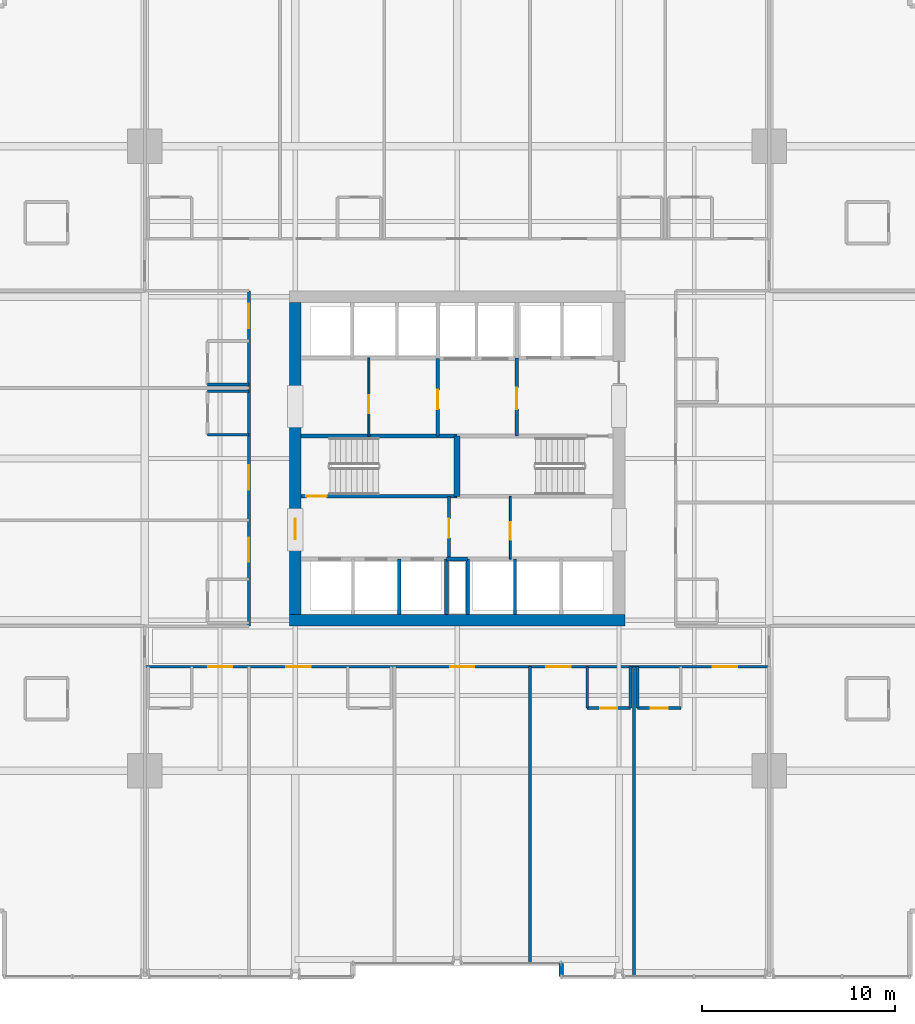
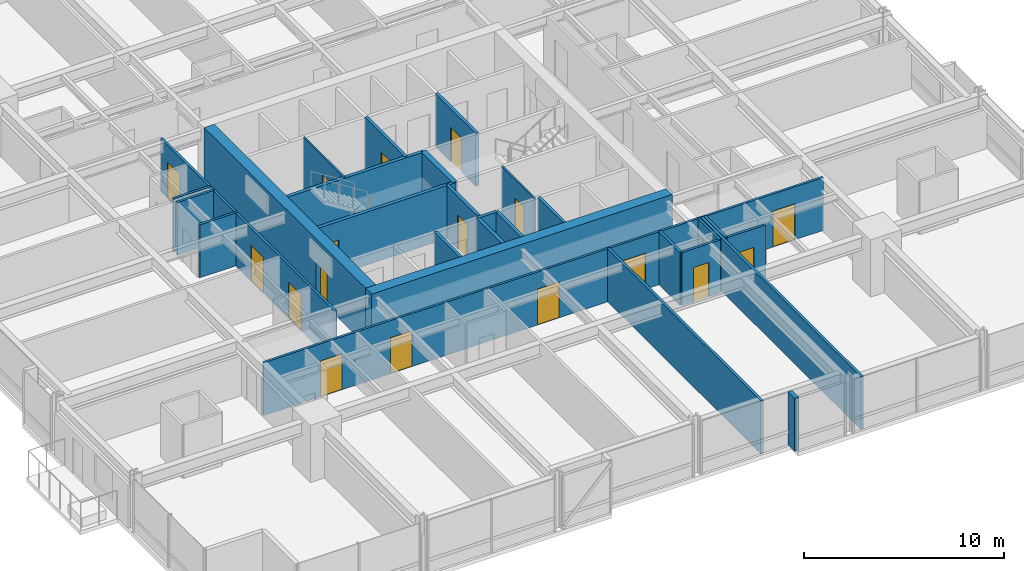
# One storey, part 31 of 38: 28 walls, 17 doors, 17 openings.
"""IFC4 building model written with IfcOpenShell, lengths in metres."""

from ifc_helpers import new_model, si_unit, direction, frame, frame_2d, origin, place, context, subcontext, project, spatial, rectangle, extrude, material, layer, layer_set, type_object, element, fill, save


model = new_model("IFC4")

# Units and contexts
model_context = context("Model", 3, precision=1e-05, world=origin(), true_north=direction((0.0, 1.0)))
body_context = subcontext(model_context, "Body", "Model", "MODEL_VIEW")
ifc_project = project(units=[si_unit("LENGTHUNIT", "METRE"), si_unit("AREAUNIT", "SQUARE_METRE"), si_unit("VOLUMEUNIT", "CUBIC_METRE"), si_unit("PLANEANGLEUNIT", "RADIAN"), si_unit("MASSUNIT", "GRAM", prefix="KILO")], contexts=[model_context])

# Site, building, storey
site_placement = place(None, origin())
site = spatial("IfcSite", under=ifc_project, at=site_placement, CompositionType="ELEMENT")
building_placement = place(site_placement, origin())
building = spatial("IfcBuilding", under=site, at=building_placement, Name="Drelvath Grand Hotel", CompositionType="ELEMENT")
storey_placement = place(building_placement, frame((0.0, 0.0, 61.199951171875)))
storey = spatial("IfcBuildingStorey", under=building, at=storey_placement, Name="L14", CompositionType="ELEMENT", Elevation=61.199951171875)

# Wall, opening, door
ifc_material_1 = material(Name="Gypsum Partition Board")
ifc_layer_1 = layer(ifc_material_1, 0.10009765625)
ifc_layer_set_1 = layer_set([ifc_layer_1], Name="Gypsum Partition Board")
wall_type_1 = type_object("IfcWallType", Name="Core Closet Partition 100", PredefinedType="PARTITIONING", material=ifc_layer_set_1)
wall_1_placement = place(storey_placement, frame((-4.580078125, 28.159912109375, 0.0), z_axis=(0.0, 0.0, 1.0), x_axis=(0.0, 1.0, 0.0)))
wall_1 = element("IfcWall", 1, at=wall_1_placement, inside=storey, type_object=wall_type_1, Name="L14 Core Closet Divider", PredefinedType="PARTITIONING", context=body_context, shape_type="SweptSolid", body=[
    extrude(rectangle(XDim=4.06005859375, YDim=0.10009765625, at=frame_2d((2.030029296875, 0.0))), origin(), (0.0, 0.0, 1.0), 3.239990234375),
])
opening_1_placement = place(wall_1_placement, frame((1.199951171875, 0.0, 0.0)))
opening_1 = element("IfcOpeningElement", 2, at=opening_1_placement, cuts=wall_1, Name="Opening D-T1G3-010", PredefinedType="OPENING", context=body_context, shape_type="SweptSolid", body=[
    extrude(rectangle(XDim=0.919921875, YDim=2.10009765625, at=frame_2d((0.4599609375, 1.050048828125))), frame((0.0, 0.06005859375, 0.0), z_axis=(0.0, -1.0, 0.0), x_axis=(1.0, 0.0, 0.0)), (0.0, 0.0, 1.0), 0.1201171875),
])
ifc_material_2 = material(Name="Painted Steel S275", Category="steel")
door_type_1 = type_object("IfcDoorType", Name="Staff Utility Door 920x2100", OperationType="NOTDEFINED", PredefinedType="DOOR", material=ifc_material_2)
door_1_placement = place(opening_1_placement, origin())
door_1 = element("IfcDoor", 3, at=door_1_placement, inside=storey, type_object=door_type_1, Name="L14 Electrical Closet Door", OperationType="SINGLE_SWING_RIGHT", OverallHeight=2.10009765625, OverallWidth=0.919921875, PredefinedType="DOOR", context=body_context, shape_type="SweptSolid", body=[
    extrude(rectangle(XDim=0.919921875, YDim=2.10009765625, at=frame_2d((0.4599609375, 1.050048828125))), frame((0.0, 0.02490234375, 0.0), z_axis=(0.0, -1.0, 0.0), x_axis=(1.0, 0.0, 0.0)), (0.0, 0.0, 1.0), 0.050048828125),
])
fill(opening_1, door_1)

wall_2_placement = place(storey_placement, frame((2.760009765625, 21.780029296875, 0.0), z_axis=(0.0, 0.0, 1.0), x_axis=(0.0, 1.0, 0.0)))
wall_2 = element("IfcWall", 4, at=wall_2_placement, inside=storey, type_object=wall_type_1, Name="L14 Butler Pantry Wall", PredefinedType="PARTITIONING", context=body_context, shape_type="SweptSolid", body=[
    extrude(rectangle(XDim=3.260009765625, YDim=0.10009765625, at=frame_2d((1.6298828125, 0.0))), origin(), (0.0, 0.0, 1.0), 3.239990234375),
])
opening_2_placement = place(wall_2_placement, frame((1.0, 0.0, 0.0)))
opening_2 = element("IfcOpeningElement", 5, at=opening_2_placement, cuts=wall_2, Name="Opening D-T1G3-016", PredefinedType="OPENING", context=body_context, shape_type="SweptSolid", body=[
    extrude(rectangle(XDim=0.919921875, YDim=2.10009765625, at=frame_2d((0.4599609375, 1.050048828125))), frame((0.0, 0.06005859375, 0.0), z_axis=(0.0, -1.0, 0.0), x_axis=(1.0, 0.0, 0.0)), (0.0, 0.0, 1.0), 0.1201171875),
])
door_2_placement = place(opening_2_placement, origin())
door_2 = element("IfcDoor", 6, at=door_2_placement, inside=storey, type_object=door_type_1, Name="L14 Butler Pantry Door", OperationType="SINGLE_SWING_LEFT", OverallHeight=2.10009765625, OverallWidth=0.919921875, PredefinedType="DOOR", context=body_context, shape_type="SweptSolid", body=[
    extrude(rectangle(XDim=0.919921875, YDim=2.10009765625, at=frame_2d((0.4599609375, 1.050048828125))), frame((0.0, 0.02490234375, 0.0), z_axis=(0.0, -1.0, 0.0), x_axis=(1.0, 0.0, 0.0)), (0.0, 0.0, 1.0), 0.050048828125),
])
fill(opening_2, door_2)

# Walls
ifc_material_3 = material(Name="Concrete C40/50", Category="concrete")
ifc_layer_2 = layer(ifc_material_3, 0.199951171875)
ifc_layer_set_2 = layer_set([ifc_layer_2], Name="Concrete C40/50")
wall_type_2 = type_object("IfcWallType", Name="Core Hoistway Fire Wall 200", PredefinedType="SOLIDWALL", material=ifc_layer_set_2)
for number, where, z_axis, x_axis, name in (
    (7, (-0.550048828125, 18.89990234375, 0.0), (0.0, 0.0, 1.0), (0.0, 1.0, 0.0), "L14 Bank 1 East Wall"),
    (8, (0.550048828125, 18.89990234375, 0.0), (0.0, 0.0, 1.0), (0.0, 1.0, 0.0), "L14 Bank 2 West Wall"),
):
    element("IfcWall", number, at=place(storey_placement, frame(where, z_axis=z_axis, x_axis=x_axis)), inside=storey, type_object=wall_type_2, Name=name, PredefinedType="SOLIDWALL", context=body_context, shape_type="SweptSolid", body=[
        extrude(rectangle(XDim=2.880126953125, YDim=0.199951171875, at=frame_2d((1.43994140625, 0.0))), origin(), (0.0, 0.0, 1.0), 3.239990234375),
    ])
wall_3_placement = place(storey_placement, frame((-0.550048828125, 21.780029296875, 0.0), z_axis=(0.0, 0.0, 1.0), x_axis=(1.0, 0.0, 0.0)))
element("IfcWall", 9, at=wall_3_placement, inside=storey, type_object=wall_type_2, Name="L14 Core Riser Wall", PredefinedType="SOLIDWALL", context=body_context, shape_type="SweptSolid", body=[
    extrude(rectangle(XDim=1.10009765625, YDim=0.199951171875, at=frame_2d((0.550048828125, 0.0))), origin(), (0.0, 0.0, 1.0), 3.239990234375),
])

# Wall, opening, door
ifc_layer_3 = layer(ifc_material_3, 0.199951171875)
ifc_layer_set_3 = layer_set([ifc_layer_3], Name="Concrete C40/50")
wall_type_3 = type_object("IfcWallType", Name="Core Shaft Fire Wall 200", PredefinedType="SOLIDWALL", material=ifc_layer_set_3)
wall_4_placement = place(storey_placement, frame((-8.10009765625, 25.0400390625, 0.0), z_axis=(0.0, 0.0, 1.0), x_axis=(1.0, 0.0, 0.0)))
wall_4 = element("IfcWall", 10, at=wall_4_placement, inside=storey, type_object=wall_type_3, Name="L14 Stair ST-1 South Wall", PredefinedType="SOLIDWALL", context=body_context, shape_type="SweptSolid", body=[
    extrude(rectangle(XDim=8.10009765625, YDim=0.199951171875, at=frame_2d((4.050048828125, 0.0))), origin(), (0.0, 0.0, 1.0), 3.239990234375),
])
opening_3_placement = place(wall_4_placement, frame((0.280029296875, 0.0, 0.0)))
opening_3 = element("IfcOpeningElement", 11, at=opening_3_placement, cuts=wall_4, Name="Opening D-T1G3-001", PredefinedType="OPENING", context=body_context, shape_type="SweptSolid", body=[
    extrude(rectangle(XDim=1.050048828125, YDim=2.10009765625, at=frame_2d((0.52490234375, 1.050048828125))), frame((0.0, 0.10986328125, 0.0), z_axis=(0.0, -1.0, 0.0), x_axis=(1.0, 0.0, 0.0)), (0.0, 0.0, 1.0), 0.219970703125),
])
door_type_2 = type_object("IfcDoorType", Name="Tower Stairwell Fire Door 1050x2100", OperationType="NOTDEFINED", PredefinedType="DOOR", material=ifc_material_2)
door_3_placement = place(opening_3_placement, origin())
door_3 = element("IfcDoor", 12, at=door_3_placement, inside=storey, type_object=door_type_2, Name="L14 Exit Stair ST-1 Door", OperationType="SINGLE_SWING_LEFT", OverallHeight=2.10009765625, OverallWidth=1.050048828125, PredefinedType="DOOR", context=body_context, shape_type="SweptSolid", body=[
    extrude(rectangle(XDim=1.050048828125, YDim=2.10009765625, at=frame_2d((0.52490234375, 1.050048828125))), frame((0.0, 0.02490234375, 0.0), z_axis=(0.0, -1.0, 0.0), x_axis=(1.0, 0.0, 0.0)), (0.0, 0.0, 1.0), 0.050048828125),
])
fill(opening_3, door_3)

# Walls
wall_5_placement = place(storey_placement, frame((-8.10009765625, 28.159912109375, 0.0), z_axis=(0.0, 0.0, 1.0), x_axis=(1.0, 0.0, 0.0)))
element("IfcWall", 13, at=wall_5_placement, inside=storey, type_object=wall_type_3, Name="L14 Stair ST-1 North Wall", PredefinedType="SOLIDWALL", context=body_context, shape_type="SweptSolid", body=[
    extrude(rectangle(XDim=8.10009765625, YDim=0.199951171875, at=frame_2d((4.050048828125, 0.0))), origin(), (0.0, 0.0, 1.0), 3.239990234375),
])
ifc_layer_4 = layer(ifc_material_3, 0.300048828125)
ifc_layer_set_4 = layer_set([ifc_layer_4], Name="Concrete C40/50")
wall_type_4 = type_object("IfcWallType", Name="Core Shaft Fire Wall 300", PredefinedType="SOLIDWALL", material=ifc_layer_set_4)
wall_6_placement = place(storey_placement, frame((0.0, 25.0400390625, 0.0), z_axis=(0.0, 0.0, 1.0), x_axis=(0.0, 1.0, 0.0)))
element("IfcWall", 14, at=wall_6_placement, inside=storey, type_object=wall_type_4, Name="L14 Core Stair Divider Wall", PredefinedType="SOLIDWALL", context=body_context, shape_type="SweptSolid", body=[
    extrude(rectangle(XDim=3.119873046875, YDim=0.300048828125, at=frame_2d((1.56005859375, 0.0))), origin(), (0.0, 0.0, 1.0), 3.239990234375),
])
ifc_material_4 = material(Name="Gypsum Fireboard Partition")
ifc_layer_5 = layer(ifc_material_4, 0.1650390625)
ifc_layer_set_5 = layer_set([ifc_layer_5], Name="Gypsum Fireboard Partition")
wall_type_5 = type_object("IfcWallType", Name="Core Shaft Partition 165", PredefinedType="PARTITIONING", material=ifc_layer_set_5)
for number, where, z_axis, x_axis, name in (
    (15, (-3.0, 18.89990234375, 0.0), (0.0, 0.0, 1.0), (0.0, 1.0, 0.0), "L14 Lift PE-2/3 Divider"),
    (16, (3.0, 18.89990234375, 0.0), (0.0, 0.0, 1.0), (0.0, 1.0, 0.0), "L14 Lift PE-4/5 Divider"),
):
    element("IfcWall", number, at=place(storey_placement, frame(where, z_axis=z_axis, x_axis=x_axis)), inside=storey, type_object=wall_type_5, Name=name, PredefinedType="PARTITIONING", context=body_context, shape_type="SweptSolid", body=[
        extrude(rectangle(XDim=2.880126953125, YDim=0.1650390625, at=frame_2d((1.43994140625, 0.0))), origin(), (0.0, 0.0, 1.0), 3.239990234375),
    ])

# Wall, openings, doors
ifc_layer_6 = layer(ifc_material_4, 0.135009765625)
ifc_layer_set_6 = layer_set([ifc_layer_6], Name="Gypsum Fireboard Partition")
wall_type_6 = type_object("IfcWallType", Name="Corridor Fire Barrier Wall 135", PredefinedType="PARTITIONING", material=ifc_layer_set_6)
wall_7_placement = place(storey_placement, frame((-16.199951171875, 16.199951171875, 0.0), z_axis=(0.0, 0.0, 1.0), x_axis=(1.0, 0.0, 0.0)))
wall_7 = element("IfcWall", 17, at=wall_7_placement, inside=storey, type_object=wall_type_6, Name="L14 South Corridor Wall", PredefinedType="PARTITIONING", context=body_context, shape_type="SweptSolid", body=[
    extrude(rectangle(XDim=32.39990234375, YDim=0.135009765625, at=frame_2d((16.199951171875, 0.0))), origin(), (0.0, 0.0, 1.0), 3.239990234375),
])
opening_4_placement = place(wall_7_placement, frame((3.284912109375, 0.0, 0.0)))
opening_4 = element("IfcOpeningElement", 18, at=opening_4_placement, cuts=wall_7, Name="Opening D-T1G3-026", PredefinedType="OPENING", context=body_context, shape_type="SweptSolid", body=[
    extrude(rectangle(XDim=1.260009765625, YDim=2.199951171875, at=frame_2d((0.6298828125, 1.10009765625))), frame((0.0, 0.077392578125, 0.0), z_axis=(0.0, -1.0, 0.0), x_axis=(1.0, 0.0, 0.0)), (0.0, 0.0, 1.0), 0.155029296875),
])
opening_5_placement = place(wall_7_placement, frame((7.3349609375, 0.0, 0.0)))
opening_5 = element("IfcOpeningElement", 19, at=opening_5_placement, cuts=wall_7, Name="Opening D-T1G3-028", PredefinedType="OPENING", context=body_context, shape_type="SweptSolid", body=[
    extrude(rectangle(XDim=1.260009765625, YDim=2.199951171875, at=frame_2d((0.6298828125, 1.10009765625))), frame((0.0, 0.077392578125, 0.0), z_axis=(0.0, -1.0, 0.0), x_axis=(1.0, 0.0, 0.0)), (0.0, 0.0, 1.0), 0.155029296875),
])
opening_6_placement = place(wall_7_placement, frame((15.840087890625, 0.0, 0.0)))
opening_6 = element("IfcOpeningElement", 20, at=opening_6_placement, cuts=wall_7, Name="Opening D-T1G3-029", PredefinedType="OPENING", context=body_context, shape_type="SweptSolid", body=[
    extrude(rectangle(XDim=1.260009765625, YDim=2.199951171875, at=frame_2d((0.6298828125, 1.10009765625))), frame((0.0, 0.077392578125, 0.0), z_axis=(0.0, -1.0, 0.0), x_axis=(1.0, 0.0, 0.0)), (0.0, 0.0, 1.0), 0.155029296875),
])
opening_7_placement = place(wall_7_placement, frame((20.8349609375, 0.0, 0.0)))
opening_7 = element("IfcOpeningElement", 21, at=opening_7_placement, cuts=wall_7, Name="Opening D-T1G3-031", PredefinedType="OPENING", context=body_context, shape_type="SweptSolid", body=[
    extrude(rectangle(XDim=1.260009765625, YDim=2.199951171875, at=frame_2d((0.6298828125, 1.10009765625))), frame((0.0, 0.077392578125, 0.0), z_axis=(0.0, -1.0, 0.0), x_axis=(1.0, 0.0, 0.0)), (0.0, 0.0, 1.0), 0.155029296875),
])
opening_8_placement = place(wall_7_placement, frame((29.47509765625, 0.0, 0.0)))
opening_8 = element("IfcOpeningElement", 22, at=opening_8_placement, cuts=wall_7, Name="Opening D-T1G3-033", PredefinedType="OPENING", context=body_context, shape_type="SweptSolid", body=[
    extrude(rectangle(XDim=1.260009765625, YDim=2.199951171875, at=frame_2d((0.6298828125, 1.10009765625))), frame((0.0, 0.077392578125, 0.0), z_axis=(0.0, -1.0, 0.0), x_axis=(1.0, 0.0, 0.0)), (0.0, 0.0, 1.0), 0.155029296875),
])
ifc_material_5 = material(Name="Hardwood Walnut Timber", Category="wood")
door_type_3 = type_object("IfcDoorType", Name="Suite Entrance Fire Door 1260x2200", OperationType="NOTDEFINED", PredefinedType="DOOR", material=ifc_material_5)
door_4_placement = place(opening_4_placement, origin())
door_4 = element("IfcDoor", 23, at=door_4_placement, inside=storey, type_object=door_type_3, Name="L14 Corner Suite Entry Door", OperationType="SINGLE_SWING_LEFT", OverallHeight=2.199951171875, OverallWidth=1.260009765625, PredefinedType="DOOR", context=body_context, shape_type="SweptSolid", body=[
    extrude(rectangle(XDim=1.260009765625, YDim=2.199951171875, at=frame_2d((0.6298828125, 1.10009765625))), frame((0.0, 0.02490234375, 0.0), z_axis=(0.0, -1.0, 0.0), x_axis=(1.0, 0.0, 0.0)), (0.0, 0.0, 1.0), 0.050048828125),
])
fill(opening_4, door_4)
door_5_placement = place(opening_5_placement, origin())
door_5 = element("IfcDoor", 24, at=door_5_placement, inside=storey, type_object=door_type_3, Name="L14 Corner Suite Entry Door", OperationType="SINGLE_SWING_LEFT", OverallHeight=2.199951171875, OverallWidth=1.260009765625, PredefinedType="DOOR", context=body_context, shape_type="SweptSolid", body=[
    extrude(rectangle(XDim=1.260009765625, YDim=2.199951171875, at=frame_2d((0.6298828125, 1.10009765625))), frame((0.0, 0.02490234375, 0.0), z_axis=(0.0, -1.0, 0.0), x_axis=(1.0, 0.0, 0.0)), (0.0, 0.0, 1.0), 0.050048828125),
])
fill(opening_5, door_5)
door_6_placement = place(opening_6_placement, origin())
door_6 = element("IfcDoor", 25, at=door_6_placement, inside=storey, type_object=door_type_3, Name="L14 Boardroom Suite Entry Door", OperationType="SINGLE_SWING_RIGHT", OverallHeight=2.199951171875, OverallWidth=1.260009765625, PredefinedType="DOOR", context=body_context, shape_type="SweptSolid", body=[
    extrude(rectangle(XDim=1.260009765625, YDim=2.199951171875, at=frame_2d((0.6298828125, 1.10009765625))), frame((0.0, 0.02490234375, 0.0), z_axis=(0.0, -1.0, 0.0), x_axis=(1.0, 0.0, 0.0)), (0.0, 0.0, 1.0), 0.050048828125),
])
fill(opening_6, door_6)
door_7_placement = place(opening_7_placement, origin())
door_7 = element("IfcDoor", 26, at=door_7_placement, inside=storey, type_object=door_type_3, Name="L14 Corner Suite Entry Door", OperationType="SINGLE_SWING_RIGHT", OverallHeight=2.199951171875, OverallWidth=1.260009765625, PredefinedType="DOOR", context=body_context, shape_type="SweptSolid", body=[
    extrude(rectangle(XDim=1.260009765625, YDim=2.199951171875, at=frame_2d((0.6298828125, 1.10009765625))), frame((0.0, 0.02490234375, 0.0), z_axis=(0.0, -1.0, 0.0), x_axis=(1.0, 0.0, 0.0)), (0.0, 0.0, 1.0), 0.050048828125),
])
fill(opening_7, door_7)
door_8_placement = place(opening_8_placement, origin())
door_8 = element("IfcDoor", 27, at=door_8_placement, inside=storey, type_object=door_type_3, Name="L14 Corner Suite Entry Door", OperationType="SINGLE_SWING_RIGHT", OverallHeight=2.199951171875, OverallWidth=1.260009765625, PredefinedType="DOOR", context=body_context, shape_type="SweptSolid", body=[
    extrude(rectangle(XDim=1.260009765625, YDim=2.199951171875, at=frame_2d((0.6298828125, 1.10009765625))), frame((0.0, 0.02490234375, 0.0), z_axis=(0.0, -1.0, 0.0), x_axis=(1.0, 0.0, 0.0)), (0.0, 0.0, 1.0), 0.050048828125),
])
fill(opening_8, door_8)

wall_8_placement = place(storey_placement, frame((-10.800048828125, 18.300048828125, 0.0), z_axis=(0.0, 0.0, 1.0), x_axis=(0.0, 1.0, 0.0)))
wall_8 = element("IfcWall", 28, at=wall_8_placement, inside=storey, type_object=wall_type_6, Name="L14 West Corridor Wall", PredefinedType="PARTITIONING", context=body_context, shape_type="SweptSolid", body=[
    extrude(rectangle(XDim=17.39990234375, YDim=0.135009765625, at=frame_2d((8.699951171875, 0.0))), origin(), (0.0, 0.0, 1.0), 3.239990234375),
])
opening_9_placement = place(wall_8_placement, frame((3.332275390625, 0.0, 0.0)))
opening_9 = element("IfcOpeningElement", 29, at=opening_9_placement, cuts=wall_8, Name="Opening D-T1G3-044", PredefinedType="OPENING", context=body_context, shape_type="SweptSolid", body=[
    extrude(rectangle(XDim=1.260009765625, YDim=2.199951171875, at=frame_2d((0.6298828125, 1.10009765625))), frame((0.0, 0.077392578125, 0.0), z_axis=(0.0, -1.0, 0.0), x_axis=(1.0, 0.0, 0.0)), (0.0, 0.0, 1.0), 0.155029296875),
])
opening_10_placement = place(wall_8_placement, frame((7.083984375, 0.0, 0.0)))
opening_10 = element("IfcOpeningElement", 30, at=opening_10_placement, cuts=wall_8, Name="Opening D-T1G3-046", PredefinedType="OPENING", context=body_context, shape_type="SweptSolid", body=[
    extrude(rectangle(XDim=1.260009765625, YDim=2.199951171875, at=frame_2d((0.6298828125, 1.10009765625))), frame((0.0, 0.077392578125, 0.0), z_axis=(0.0, -1.0, 0.0), x_axis=(1.0, 0.0, 0.0)), (0.0, 0.0, 1.0), 0.155029296875),
])
opening_11_placement = place(wall_8_placement, frame((15.466552734375, 0.0, 0.0)))
opening_11 = element("IfcOpeningElement", 31, at=opening_11_placement, cuts=wall_8, Name="Opening D-T1G3-048", PredefinedType="OPENING", context=body_context, shape_type="SweptSolid", body=[
    extrude(rectangle(XDim=1.260009765625, YDim=2.199951171875, at=frame_2d((0.6298828125, 1.10009765625))), frame((0.0, 0.077392578125, 0.0), z_axis=(0.0, -1.0, 0.0), x_axis=(1.0, 0.0, 0.0)), (0.0, 0.0, 1.0), 0.155029296875),
])
door_9_placement = place(opening_9_placement, origin())
door_9 = element("IfcDoor", 32, at=door_9_placement, inside=storey, type_object=door_type_3, Name="L14 Corner Suite Entry Door", OperationType="SINGLE_SWING_LEFT", OverallHeight=2.199951171875, OverallWidth=1.260009765625, PredefinedType="DOOR", context=body_context, shape_type="SweptSolid", body=[
    extrude(rectangle(XDim=1.260009765625, YDim=2.199951171875, at=frame_2d((0.6298828125, 1.10009765625))), frame((0.0, 0.02490234375, 0.0), z_axis=(0.0, -1.0, 0.0), x_axis=(1.0, 0.0, 0.0)), (0.0, 0.0, 1.0), 0.050048828125),
])
fill(opening_9, door_9)
door_10_placement = place(opening_10_placement, origin())
door_10 = element("IfcDoor", 33, at=door_10_placement, inside=storey, type_object=door_type_3, Name="L14 Corner Suite Entry Door", OperationType="SINGLE_SWING_LEFT", OverallHeight=2.199951171875, OverallWidth=1.260009765625, PredefinedType="DOOR", context=body_context, shape_type="SweptSolid", body=[
    extrude(rectangle(XDim=1.260009765625, YDim=2.199951171875, at=frame_2d((0.6298828125, 1.10009765625))), frame((0.0, 0.02490234375, 0.0), z_axis=(0.0, -1.0, 0.0), x_axis=(1.0, 0.0, 0.0)), (0.0, 0.0, 1.0), 0.050048828125),
])
fill(opening_10, door_10)
door_11_placement = place(opening_11_placement, origin())
door_11 = element("IfcDoor", 34, at=door_11_placement, inside=storey, type_object=door_type_3, Name="L14 Corner Suite Entry Door", OperationType="SINGLE_SWING_LEFT", OverallHeight=2.199951171875, OverallWidth=1.260009765625, PredefinedType="DOOR", context=body_context, shape_type="SweptSolid", body=[
    extrude(rectangle(XDim=1.260009765625, YDim=2.199951171875, at=frame_2d((0.6298828125, 1.10009765625))), frame((0.0, 0.02490234375, 0.0), z_axis=(0.0, -1.0, 0.0), x_axis=(1.0, 0.0, 0.0)), (0.0, 0.0, 1.0), 0.050048828125),
])
fill(opening_11, door_11)

# Walls
ifc_material_6 = material(Name="Moisture-Resistant Gypsum Board")
ifc_layer_7 = layer(ifc_material_6, 0.139892578125)
ifc_layer_set_7 = layer_set([ifc_layer_7], Name="Moisture-Resistant Gypsum Board")
wall_type_7 = type_object("IfcWallType", Name="En-Suite Plumbing Wall 140", PredefinedType="PLUMBINGWALL", material=ifc_layer_set_7)
for number, where, z_axis, x_axis, name in (
    (35, (6.75, 16.199951171875, 0.0), (0.0, 0.0, 1.0), (0.0, -1.0, 0.0), "L14 En-Suite Left Wall"),
    (36, (9.0, 16.199951171875, 0.0), (0.0, 0.0, 1.0), (0.0, -1.0, 0.0), "L14 En-Suite Right Wall"),
):
    element("IfcWall", number, at=place(storey_placement, frame(where, z_axis=z_axis, x_axis=x_axis)), inside=storey, type_object=wall_type_7, Name=name, PredefinedType="PLUMBINGWALL", context=body_context, shape_type="SweptSolid", body=[
        extrude(rectangle(XDim=2.14990234375, YDim=0.139892578125, at=frame_2d((1.074951171875, 0.0))), origin(), (0.0, 0.0, 1.0), 3.239990234375),
    ])

# Wall, opening, door
wall_9_placement = place(storey_placement, frame((6.75, 14.050048828125, 0.0), z_axis=(0.0, 0.0, 1.0), x_axis=(1.0, 0.0, 0.0)))
wall_9 = element("IfcWall", 37, at=wall_9_placement, inside=storey, type_object=wall_type_7, Name="L14 En-Suite Front Wall", PredefinedType="PLUMBINGWALL", context=body_context, shape_type="SweptSolid", body=[
    extrude(rectangle(XDim=2.25, YDim=0.139892578125, at=frame_2d((1.125, 0.0))), origin(), (0.0, 0.0, 1.0), 3.239990234375),
])
opening_12_placement = place(wall_9_placement, frame((0.68505859375, 0.0, 0.0)))
opening_12 = element("IfcOpeningElement", 38, at=opening_12_placement, cuts=wall_9, Name="Opening D-T1G3-030", PredefinedType="OPENING", context=body_context, shape_type="SweptSolid", body=[
    extrude(rectangle(XDim=0.8798828125, YDim=2.10009765625, at=frame_2d((0.43994140625, 1.050048828125))), frame((0.0, 0.079833984375, 0.0), z_axis=(0.0, -1.0, 0.0), x_axis=(1.0, 0.0, 0.0)), (0.0, 0.0, 1.0), 0.159912109375),
])
door_type_4 = type_object("IfcDoorType", Name="En-Suite Bathroom Door 880x2100", OperationType="NOTDEFINED", PredefinedType="DOOR", material=ifc_material_5)
door_12_placement = place(opening_12_placement, origin())
door_12 = element("IfcDoor", 39, at=door_12_placement, inside=storey, type_object=door_type_4, Name="L14 En-Suite Bathroom Door", OperationType="SINGLE_SWING_LEFT", OverallHeight=2.10009765625, OverallWidth=0.8798828125, PredefinedType="DOOR", context=body_context, shape_type="SweptSolid", body=[
    extrude(rectangle(XDim=0.8798828125, YDim=2.10009765625, at=frame_2d((0.43994140625, 1.050048828125))), frame((0.0, 0.02490234375, 0.0), z_axis=(0.0, -1.0, 0.0), x_axis=(1.0, 0.0, 0.0)), (0.0, 0.0, 1.0), 0.050048828125),
])
fill(opening_12, door_12)

# Wall
wall_10_placement = place(storey_placement, frame((9.360107421875, 16.199951171875, 0.0), z_axis=(0.0, 0.0, 1.0), x_axis=(0.0, -1.0, 0.0)))
element("IfcWall", 40, at=wall_10_placement, inside=storey, type_object=wall_type_7, Name="L14 En-Suite Left Wall", PredefinedType="PLUMBINGWALL", context=body_context, shape_type="SweptSolid", body=[
    extrude(rectangle(XDim=2.14990234375, YDim=0.139892578125, at=frame_2d((1.074951171875, 0.0))), origin(), (0.0, 0.0, 1.0), 3.239990234375),
])

# Wall, opening, door
wall_11_placement = place(storey_placement, frame((9.360107421875, 14.050048828125, 0.0), z_axis=(0.0, 0.0, 1.0), x_axis=(1.0, 0.0, 0.0)))
wall_11 = element("IfcWall", 41, at=wall_11_placement, inside=storey, type_object=wall_type_7, Name="L14 En-Suite Front Wall", PredefinedType="PLUMBINGWALL", context=body_context, shape_type="SweptSolid", body=[
    extrude(rectangle(XDim=2.25, YDim=0.139892578125, at=frame_2d((1.125, 0.0))), origin(), (0.0, 0.0, 1.0), 3.239990234375),
])
opening_13_placement = place(wall_11_placement, frame((0.68505859375, 0.0, 0.0)))
opening_13 = element("IfcOpeningElement", 42, at=opening_13_placement, cuts=wall_11, Name="Opening D-T1G3-032", PredefinedType="OPENING", context=body_context, shape_type="SweptSolid", body=[
    extrude(rectangle(XDim=0.8798828125, YDim=2.10009765625, at=frame_2d((0.43994140625, 1.050048828125))), frame((0.0, 0.079833984375, 0.0), z_axis=(0.0, -1.0, 0.0), x_axis=(1.0, 0.0, 0.0)), (0.0, 0.0, 1.0), 0.159912109375),
])
door_13_placement = place(opening_13_placement, origin())
door_13 = element("IfcDoor", 43, at=door_13_placement, inside=storey, type_object=door_type_4, Name="L14 En-Suite Bathroom Door", OperationType="SINGLE_SWING_LEFT", OverallHeight=2.10009765625, OverallWidth=0.8798828125, PredefinedType="DOOR", context=body_context, shape_type="SweptSolid", body=[
    extrude(rectangle(XDim=0.8798828125, YDim=2.10009765625, at=frame_2d((0.43994140625, 1.050048828125))), frame((0.0, 0.02490234375, 0.0), z_axis=(0.0, -1.0, 0.0), x_axis=(1.0, 0.0, 0.0)), (0.0, 0.0, 1.0), 0.050048828125),
])
fill(opening_13, door_13)

# Walls
for number, where, z_axis, x_axis, name in (
    (44, (-10.800048828125, 28.233154296875, 0.0), (0.0, 0.0, 1.0), (-1.0, 0.0, 0.0), "L14 En-Suite Left Wall"),
    (45, (-10.800048828125, 30.483154296875, 0.0), (0.0, 0.0, 1.0), (-1.0, 0.0, 0.0), "L14 En-Suite Right Wall"),
    (46, (-10.800048828125, 30.84326171875, 0.0), (0.0, 0.0, 1.0), (-1.0, 0.0, 0.0), "L14 En-Suite Left Wall"),
):
    element("IfcWall", number, at=place(storey_placement, frame(where, z_axis=z_axis, x_axis=x_axis)), inside=storey, type_object=wall_type_7, Name=name, PredefinedType="PLUMBINGWALL", context=body_context, shape_type="SweptSolid", body=[
        extrude(rectangle(XDim=2.14990234375, YDim=0.139892578125, at=frame_2d((1.074951171875, 0.0))), origin(), (0.0, 0.0, 1.0), 3.239990234375),
    ])

# Wall, opening, door
ifc_layer_8 = layer(ifc_material_4, 0.179931640625)
ifc_layer_set_8 = layer_set([ifc_layer_8], Name="Gypsum Fireboard Partition")
wall_type_8 = type_object("IfcWallType", Name="FSAE Smoke Lobby Fire Wall 180", PredefinedType="SOLIDWALL", material=ifc_layer_set_8)
wall_12_placement = place(storey_placement, frame((3.10009765625, 28.159912109375, 0.0), z_axis=(0.0, 0.0, 1.0), x_axis=(0.0, 1.0, 0.0)))
wall_12 = element("IfcWall", 47, at=wall_12_placement, inside=storey, type_object=wall_type_8, Name="L14 FSAE Smoke Lobby West Wall", PredefinedType="SOLIDWALL", context=body_context, shape_type="SweptSolid", body=[
    extrude(rectangle(XDim=4.06005859375, YDim=0.179931640625, at=frame_2d((2.030029296875, 0.0))), origin(), (0.0, 0.0, 1.0), 3.239990234375),
])
opening_14_placement = place(wall_12_placement, frame((1.39990234375, 0.0, 0.0)))
opening_14 = element("IfcOpeningElement", 48, at=opening_14_placement, cuts=wall_12, Name="Opening D-T1G3-005", PredefinedType="OPENING", context=body_context, shape_type="SweptSolid", body=[
    extrude(rectangle(XDim=1.1201171875, YDim=2.10009765625, at=frame_2d((0.56005859375, 1.050048828125))), frame((0.0, 0.099853515625, 0.0), z_axis=(0.0, -1.0, 0.0), x_axis=(1.0, 0.0, 0.0)), (0.0, 0.0, 1.0), 0.199951171875),
])
door_type_5 = type_object("IfcDoorType", Name="FSAE Smoke Lobby Fire Door 1120x2100", OperationType="NOTDEFINED", PredefinedType="DOOR", material=ifc_material_2)
door_14_placement = place(opening_14_placement, origin())
door_14 = element("IfcDoor", 49, at=door_14_placement, inside=storey, type_object=door_type_5, Name="L14 FSAE Lobby Service Vestibule Door", OperationType="SINGLE_SWING_RIGHT", OverallHeight=2.10009765625, OverallWidth=1.1201171875, PredefinedType="DOOR", context=body_context, shape_type="SweptSolid", body=[
    extrude(rectangle(XDim=1.1201171875, YDim=2.10009765625, at=frame_2d((0.56005859375, 1.050048828125))), frame((0.0, 0.02490234375, 0.0), z_axis=(0.0, -1.0, 0.0), x_axis=(1.0, 0.0, 0.0)), (0.0, 0.0, 1.0), 0.050048828125),
])
fill(opening_14, door_14)

wall_13_placement = place(storey_placement, frame((-1.0, 28.159912109375, 0.0), z_axis=(0.0, 0.0, 1.0), x_axis=(0.0, 1.0, 0.0)))
wall_13 = element("IfcWall", 50, at=wall_13_placement, inside=storey, type_object=wall_type_8, Name="L14 Service Vestibule West Wall", PredefinedType="SOLIDWALL", context=body_context, shape_type="SweptSolid", body=[
    extrude(rectangle(XDim=4.02001953125, YDim=0.179931640625, at=frame_2d((2.010009765625, 0.0))), origin(), (0.0, 0.0, 1.0), 3.239990234375),
])
opening_15_placement = place(wall_13_placement, frame((1.39990234375, 0.0, 0.0)))
opening_15 = element("IfcOpeningElement", 51, at=opening_15_placement, cuts=wall_13, Name="Opening D-T1G3-009", PredefinedType="OPENING", context=body_context, shape_type="SweptSolid", body=[
    extrude(rectangle(XDim=1.0, YDim=2.10009765625, at=frame_2d((0.5, 1.050048828125))), frame((0.0, 0.099853515625, 0.0), z_axis=(0.0, -1.0, 0.0), x_axis=(1.0, 0.0, 0.0)), (0.0, 0.0, 1.0), 0.199951171875),
])
door_type_6 = type_object("IfcDoorType", Name="Core Service Fire Door 1000x2100", OperationType="NOTDEFINED", PredefinedType="DOOR", material=ifc_material_2)
door_15_placement = place(opening_15_placement, origin())
door_15 = element("IfcDoor", 52, at=door_15_placement, inside=storey, type_object=door_type_6, Name="L14 Service Vestibule West Door", OperationType="SINGLE_SWING_LEFT", OverallHeight=2.10009765625, OverallWidth=1.0, PredefinedType="DOOR", context=body_context, shape_type="SweptSolid", body=[
    extrude(rectangle(XDim=1.0, YDim=2.10009765625, at=frame_2d((0.5, 1.050048828125))), frame((0.0, 0.02490234375, 0.0), z_axis=(0.0, -1.0, 0.0), x_axis=(1.0, 0.0, 0.0)), (0.0, 0.0, 1.0), 0.050048828125),
])
fill(opening_15, door_15)

wall_14_placement = place(storey_placement, frame((-0.419921875, 21.780029296875, 0.0), z_axis=(0.0, 0.0, 1.0), x_axis=(0.0, 1.0, 0.0)))
wall_14 = element("IfcWall", 53, at=wall_14_placement, inside=storey, type_object=wall_type_8, Name="L14 Low-Rise Lobby East Wall", PredefinedType="SOLIDWALL", context=body_context, shape_type="SweptSolid", body=[
    extrude(rectangle(XDim=3.260009765625, YDim=0.179931640625, at=frame_2d((1.6298828125, 0.0))), origin(), (0.0, 0.0, 1.0), 3.239990234375),
])
opening_16_placement = place(wall_14_placement, frame((1.10009765625, 0.0, 0.0)))
opening_16 = element("IfcOpeningElement", 54, at=opening_16_placement, cuts=wall_14, Name="Opening D-T1G3-014", PredefinedType="OPENING", context=body_context, shape_type="SweptSolid", body=[
    extrude(rectangle(XDim=1.0, YDim=2.10009765625, at=frame_2d((0.5, 1.050048828125))), frame((0.0, 0.099853515625, 0.0), z_axis=(0.0, -1.0, 0.0), x_axis=(1.0, 0.0, 0.0)), (0.0, 0.0, 1.0), 0.199951171875),
])
door_16_placement = place(opening_16_placement, origin())
door_16 = element("IfcDoor", 55, at=door_16_placement, inside=storey, type_object=door_type_6, Name="L14 Housekeeping Entry Door", OperationType="SINGLE_SWING_LEFT", OverallHeight=2.10009765625, OverallWidth=1.0, PredefinedType="DOOR", context=body_context, shape_type="SweptSolid", body=[
    extrude(rectangle(XDim=1.0, YDim=2.10009765625, at=frame_2d((0.5, 1.050048828125))), frame((0.0, 0.02490234375, 0.0), z_axis=(0.0, -1.0, 0.0), x_axis=(1.0, 0.0, 0.0)), (0.0, 0.0, 1.0), 0.050048828125),
])
fill(opening_16, door_16)

# Walls
ifc_material_7 = material(Name="Gypsum Acoustic Partition")
ifc_layer_9 = layer(ifc_material_7, 0.14990234375)
ifc_layer_set_9 = layer_set([ifc_layer_9], Name="Gypsum Acoustic Partition")
wall_type_9 = type_object("IfcWallType", Name="Guestroom Demising Wall 150", PredefinedType="PARTITIONING", material=ifc_layer_set_9)
wall_15_placement = place(storey_placement, frame((3.780029296875, 0.800048828125, 0.0), z_axis=(0.0, 0.0, 1.0), x_axis=(0.0, 1.0, 0.0)))
element("IfcWall", 56, at=wall_15_placement, inside=storey, type_object=wall_type_9, Name="L14 South Demising 3", PredefinedType="PARTITIONING", context=body_context, shape_type="SweptSolid", body=[
    extrude(rectangle(XDim=15.39990234375, YDim=0.14990234375, at=frame_2d((7.699951171875, 0.0))), origin(), (0.0, 0.0, 1.0), 3.239990234375),
])
wall_16_placement = place(storey_placement, frame((9.179931640625, 0.1201171875, 0.0), z_axis=(0.0, 0.0, 1.0), x_axis=(0.0, 1.0, 0.0)))
element("IfcWall", 57, at=wall_16_placement, inside=storey, type_object=wall_type_9, Name="L14 South Demising 4", PredefinedType="PARTITIONING", context=body_context, shape_type="SweptSolid", body=[
    extrude(rectangle(XDim=16.079833984375, YDim=0.14990234375, at=frame_2d((8.0400390625, 0.0))), origin(), (0.0, 0.0, 1.0), 3.239990234375),
])
ifc_material_8 = material(Name="Concrete f'c 70 MPa", Category="concrete")
ifc_layer_10 = layer(ifc_material_8, 0.60009765625)
ifc_layer_set_10 = layer_set([ifc_layer_10], Name="Concrete f'c 70 MPa")
wall_type_10 = type_object("IfcWallType", Name="Lower Core RC Shear Wall 600", PredefinedType="SHEAR", material=ifc_layer_set_10)
wall_17_placement = place(storey_placement, frame((8.699951171875, 18.60009765625, 0.0), z_axis=(0.0, 0.0, 1.0), x_axis=(-1.0, 0.0, 0.0)))
element("IfcWall", 58, at=wall_17_placement, inside=storey, type_object=wall_type_10, Name="L14 Central Core Shear Wall S", PredefinedType="SHEAR", context=body_context, shape_type="SweptSolid", body=[
    extrude(rectangle(XDim=17.39990234375, YDim=0.60009765625, at=frame_2d((8.699951171875, 0.0))), origin(), (0.0, 0.0, 1.0), 3.5),
])

# Wall, opening, door
wall_18_placement = place(storey_placement, frame((-8.39990234375, 18.89990234375, 0.0), z_axis=(0.0, 0.0, 1.0), x_axis=(0.0, 1.0, 0.0)))
wall_18 = element("IfcWall", 59, at=wall_18_placement, inside=storey, type_object=wall_type_10, Name="L14 Central Core Shear Wall W", PredefinedType="SHEAR", context=body_context, shape_type="SweptSolid", body=[
    extrude(rectangle(XDim=16.2001953125, YDim=0.60009765625, at=frame_2d((8.10009765625, 0.0))), origin(), (0.0, 0.0, 1.0), 3.5),
])
opening_17_placement = place(wall_18_placement, frame((3.89990234375, 0.0, 0.0)))
opening_17 = element("IfcOpeningElement", 60, at=opening_17_placement, cuts=wall_18, Name="Opening D-T1G3-015", PredefinedType="OPENING", context=body_context, shape_type="SweptSolid", body=[
    extrude(rectangle(XDim=1.080078125, YDim=2.0400390625, at=frame_2d((0.5400390625, 1.02001953125))), frame((0.0, 0.31005859375, 0.0), z_axis=(0.0, -1.0, 0.0), x_axis=(1.0, 0.0, 0.0)), (0.0, 0.0, 1.0), 0.6201171875),
])
door_type_7 = type_object("IfcDoorType", Name="Core Corridor Fire Door 1080x2100", OperationType="NOTDEFINED", PredefinedType="DOOR", material=ifc_material_2)
door_17_placement = place(opening_17_placement, origin())
door_17 = element("IfcDoor", 61, at=door_17_placement, inside=storey, type_object=door_type_7, Name="L14 Low-Rise Lobby West Door", OperationType="SINGLE_SWING_RIGHT", OverallHeight=2.0400390625, OverallWidth=1.080078125, PredefinedType="DOOR", context=body_context, shape_type="SweptSolid", body=[
    extrude(rectangle(XDim=1.080078125, YDim=2.0400390625, at=frame_2d((0.5400390625, 1.02001953125))), frame((0.0, 0.02490234375, 0.0), z_axis=(0.0, -1.0, 0.0), x_axis=(1.0, 0.0, 0.0)), (0.0, 0.0, 1.0), 0.050048828125),
])
fill(opening_17, door_17)

# Wall
ifc_material_9 = material(Name="Pale-Metal Insulated Aluminium Spandrel Assembly", Category="aluminium")
ifc_layer_11 = layer(ifc_material_9, 0.239990234375)
ifc_layer_set_11 = layer_set([ifc_layer_11], Name="Pale-Metal Insulated Aluminium Spandrel Assembly")
wall_type_11 = type_object("IfcWallType", Name="Tower Insulated Metal Spandrel Closure Wall 240", PredefinedType="STANDARD", material=ifc_layer_set_11)
wall_19_placement = place(storey_placement, frame((5.39990234375, 0.1201171875, 0.0), z_axis=(0.0, 0.0, 1.0), x_axis=(0.0, 1.0, 0.0)))
element("IfcWall", 62, at=wall_19_placement, inside=storey, type_object=wall_type_11, Name="L14 Notched Corner Return Spandrel Wall RS1", PredefinedType="STANDARD", context=body_context, shape_type="SweptSolid", body=[
    extrude(rectangle(XDim=0.679931640625, YDim=0.239990234375, at=frame_2d((0.33984375, 0.0))), origin(), (0.0, 0.0, 1.0), 3.239990234375),
])

save(model, "model.ifc")
